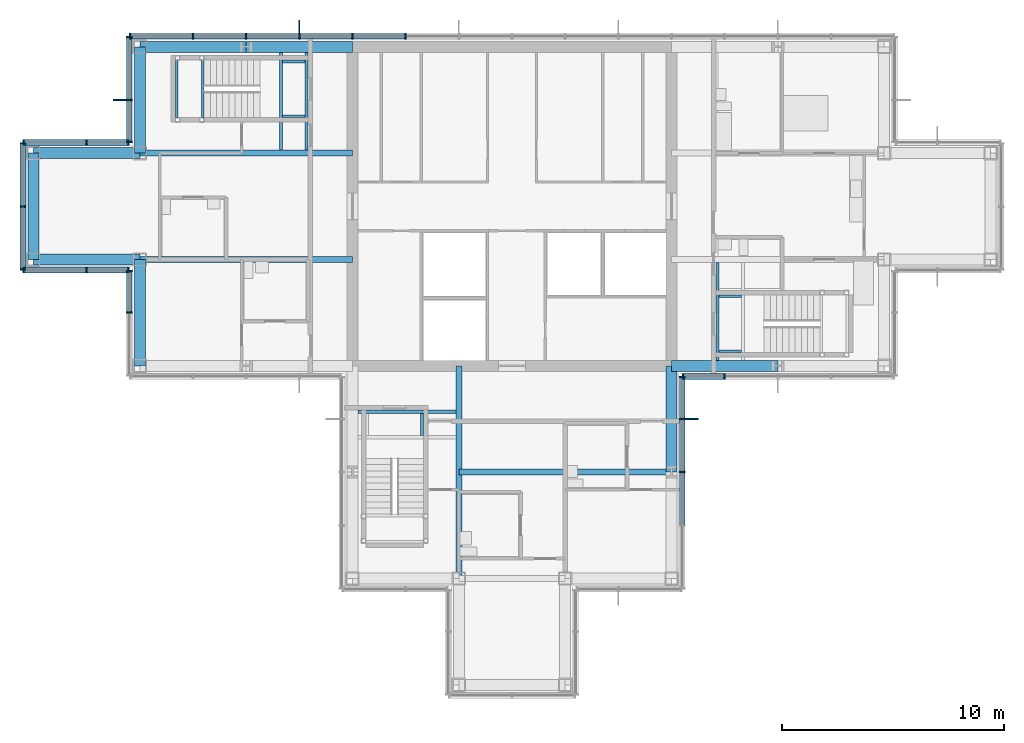
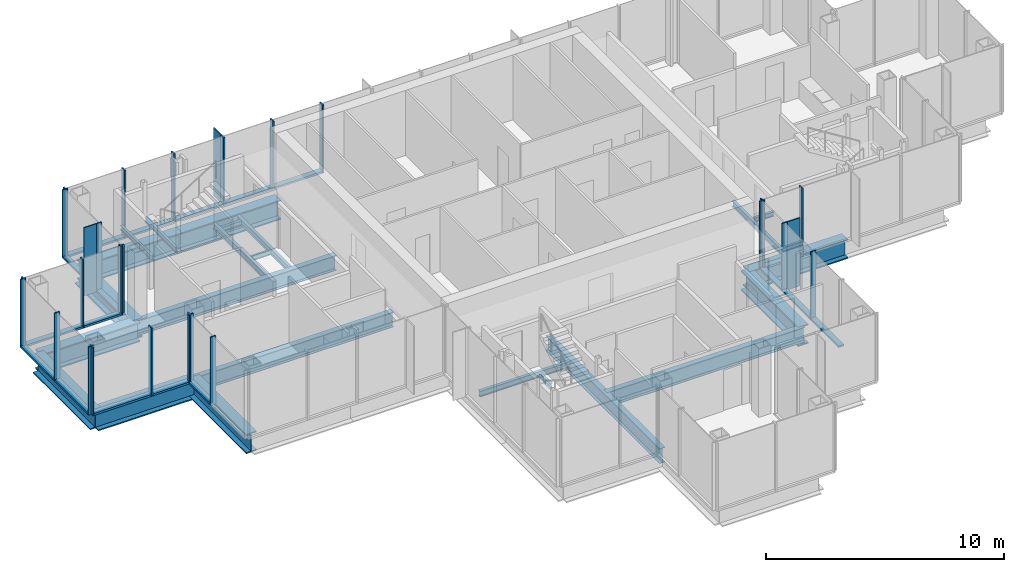
# One storey, part 6 of 15: 46 members, 24 beams, 8 elements without a shape of their own.
"""IFC4 building model written with IfcOpenShell, lengths in metres."""

from ifc_helpers import new_model, si_unit, direction, frame, origin, origin_2d, place, context, subcontext, project, spatial, rectangle, i_section, extrude, material, material_profile, profile_set, type_object, element, aggregate, save


model = new_model("IFC4")

# Units and contexts
model_context = context("Model", 3, precision=1e-05, world=origin(), true_north=direction((0.0, 1.0)))
body_context = subcontext(model_context, "Body", "Model", "MODEL_VIEW")
ifc_project = project(units=[si_unit("LENGTHUNIT", "METRE"), si_unit("AREAUNIT", "SQUARE_METRE"), si_unit("VOLUMEUNIT", "CUBIC_METRE"), si_unit("PLANEANGLEUNIT", "RADIAN"), si_unit("MASSUNIT", "GRAM", prefix="KILO")], contexts=[model_context])

# Site, building, storey
site_placement = place(None, origin())
site = spatial("IfcSite", under=ifc_project, at=site_placement, CompositionType="ELEMENT")
building_placement = place(site_placement, origin())
building = spatial("IfcBuilding", under=site, at=building_placement, Name="Kvirike Care Tower", CompositionType="ELEMENT")
storey_placement = place(building_placement, frame((0.0, 0.0, 233.0)))
storey = spatial("IfcBuildingStorey", under=building, at=storey_placement, Name="L64", CompositionType="ELEMENT", Elevation=233.0)

# Curtain wall, member
ifc_material_1 = material(Name="Anodised aluminium stick system", Category="aluminium")
curtain_wall_type = type_object("IfcCurtainWallType", Name="CW-D STICK CURTAIN WALL", PredefinedType="NOTDEFINED", material=ifc_material_1)
curtain_wall_1_placement = place(storey_placement, origin())
curtain_wall_1 = element("IfcCurtainWall", 1, at=curtain_wall_1_placement, inside=storey, type_object=curtain_wall_type, Name="Curtain wall L64 face 7", PredefinedType="NOTDEFINED")
ifc_material_2 = material(Name="Bronze anodised aluminium fin", Category="aluminium")
ifc_material_profile_1 = material_profile(ifc_material_2, rectangle(XDim=0.050048828125, YDim=0.60009765625, at=origin_2d()), Name="BRONZE FIN 600")
ifc_profile_set_1 = profile_set([ifc_material_profile_1], Name="Bronze anodised aluminium fin")
member_type_1 = type_object("IfcMemberType", Name="BRONZE FIN 600", PredefinedType="USERDEFINED", material=ifc_profile_set_1)
member_1_placement = place(storey_placement, frame((12.0, 44.110107421875, 0.0), z_axis=(0.0, 0.0, 1.0), x_axis=(-1.0, 0.0, 0.0)))
member_1 = element("IfcMember", 2, at=member_1_placement, type_object=member_type_1, Name="Bronze fin L64 face 7.12", ObjectType="FIN", PredefinedType="USERDEFINED", context=body_context, shape_type="SweptSolid", body=[
    extrude(rectangle(XDim=0.050048828125, YDim=0.60009765625, at=origin_2d()), origin(), (0.0, 0.0, 1.0), 3.5),
])

curtain_wall_2_placement = place(storey_placement, origin())
curtain_wall_2 = element("IfcCurtainWall", 3, at=curtain_wall_2_placement, inside=storey, type_object=curtain_wall_type, Name="Curtain wall L64 face 8", PredefinedType="NOTDEFINED")
member_2_placement = place(storey_placement, frame((3.889892578125, 40.800048828125, 0.0), z_axis=(0.0, 0.0, 1.0), x_axis=(0.0, -1.0, 0.0)))
member_2 = element("IfcMember", 4, at=member_2_placement, type_object=member_type_1, Name="Bronze fin L64 face 8.2", ObjectType="FIN", PredefinedType="USERDEFINED", context=body_context, shape_type="SweptSolid", body=[
    extrude(rectangle(XDim=0.050048828125, YDim=0.60009765625, at=origin_2d()), origin(), (0.0, 0.0, 1.0), 3.5),
])

curtain_wall_3_placement = place(storey_placement, origin())
curtain_wall_3 = element("IfcCurtainWall", 5, at=curtain_wall_3_placement, inside=storey, type_object=curtain_wall_type, Name="Curtain wall L64 face 20", PredefinedType="NOTDEFINED")
member_3_placement = place(storey_placement, frame((29.7099609375, 26.39990234375, 0.0), z_axis=(0.0, 0.0, 1.0), x_axis=(0.0, 1.0, 0.0)))
member_3 = element("IfcMember", 6, at=member_3_placement, type_object=member_type_1, Name="Bronze fin L64 face 20.4", ObjectType="FIN", PredefinedType="USERDEFINED", context=body_context, shape_type="SweptSolid", body=[
    extrude(rectangle(XDim=0.050048828125, YDim=0.60009765625, at=origin_2d()), origin(), (0.0, 0.0, 1.0), 3.5),
])

# Curtain wall, members
curtain_wall_4_placement = place(storey_placement, origin())
curtain_wall_4 = element("IfcCurtainWall", 7, at=curtain_wall_4_placement, inside=storey, type_object=curtain_wall_type, Name="Curtain wall L64 face 1", PredefinedType="NOTDEFINED")
ifc_material_3 = material(Name="Bronze anodised aluminium mullion", Category="aluminium")
ifc_material_profile_2 = material_profile(ifc_material_3, rectangle(XDim=0.06494140625, YDim=0.260009765625, at=origin_2d()), Name="CW-D MULLION 65x260")
ifc_profile_set_2 = profile_set([ifc_material_profile_2], Name="Bronze anodised aluminium mullion")
member_type_2 = type_object("IfcMemberType", Name="CW-D MULLION 65x260", PredefinedType="MULLION", material=ifc_profile_set_2)
member_4_placement = place(storey_placement, frame((29.3125, 28.320068359375, 0.0), z_axis=(0.0, 0.0, 1.0), x_axis=(1.0, 0.0, 0.0)))
member_4 = element("IfcMember", 8, at=member_4_placement, type_object=member_type_2, Name="CW-D mullion L64 face 1.1", PredefinedType="MULLION", context=body_context, shape_type="SweptSolid", body=[
    extrude(rectangle(XDim=0.06494140625, YDim=0.260009765625, at=origin_2d()), origin(), (0.0, 0.0, 1.0), 3.5),
])
member_5_placement = place(storey_placement, frame((31.199951171875, 28.320068359375, 0.0), z_axis=(0.0, 0.0, 1.0), x_axis=(1.0, 0.0, 0.0)))
member_5 = element("IfcMember", 9, at=member_5_placement, type_object=member_type_2, Name="CW-D mullion L64 face 1.2", PredefinedType="MULLION", context=body_context, shape_type="SweptSolid", body=[
    extrude(rectangle(XDim=0.06494140625, YDim=0.260009765625, at=origin_2d()), origin(), (0.0, 0.0, 1.0), 3.5),
])

# Member
member_6_placement = place(storey_placement, frame((16.800048828125, 43.679931640625, 0.0), z_axis=(0.0, 0.0, 1.0), x_axis=(-1.0, 0.0, 0.0)))
member_6 = element("IfcMember", 10, at=member_6_placement, type_object=member_type_2, Name="CW-D mullion L64 face 7.10", PredefinedType="MULLION", context=body_context, shape_type="SweptSolid", body=[
    extrude(rectangle(XDim=0.06494140625, YDim=0.260009765625, at=origin_2d()), origin(), (0.0, 0.0, 1.0), 3.5),
])

member_7_placement = place(storey_placement, frame((14.39990234375, 43.679931640625, 0.0), z_axis=(0.0, 0.0, 1.0), x_axis=(-1.0, 0.0, 0.0)))
member_7 = element("IfcMember", 11, at=member_7_placement, type_object=member_type_2, Name="CW-D mullion L64 face 7.11", PredefinedType="MULLION", context=body_context, shape_type="SweptSolid", body=[
    extrude(rectangle(XDim=0.06494140625, YDim=0.260009765625, at=origin_2d()), origin(), (0.0, 0.0, 1.0), 3.5),
])

member_8_placement = place(storey_placement, frame((12.0, 43.679931640625, 0.0), z_axis=(0.0, 0.0, 1.0), x_axis=(-1.0, 0.0, 0.0)))
member_8 = element("IfcMember", 12, at=member_8_placement, type_object=member_type_2, Name="CW-D mullion L64 face 7.12", PredefinedType="MULLION", context=body_context, shape_type="SweptSolid", body=[
    extrude(rectangle(XDim=0.06494140625, YDim=0.260009765625, at=origin_2d()), origin(), (0.0, 0.0, 1.0), 3.5),
])

member_9_placement = place(storey_placement, frame((9.60009765625, 43.679931640625, 0.0), z_axis=(0.0, 0.0, 1.0), x_axis=(-1.0, 0.0, 0.0)))
member_9 = element("IfcMember", 13, at=member_9_placement, type_object=member_type_2, Name="CW-D mullion L64 face 7.13", PredefinedType="MULLION", context=body_context, shape_type="SweptSolid", body=[
    extrude(rectangle(XDim=0.06494140625, YDim=0.260009765625, at=origin_2d()), origin(), (0.0, 0.0, 1.0), 3.5),
])

member_10_placement = place(storey_placement, frame((7.199951171875, 43.679931640625, 0.0), z_axis=(0.0, 0.0, 1.0), x_axis=(-1.0, 0.0, 0.0)))
member_10 = element("IfcMember", 14, at=member_10_placement, type_object=member_type_2, Name="CW-D mullion L64 face 7.14", PredefinedType="MULLION", context=body_context, shape_type="SweptSolid", body=[
    extrude(rectangle(XDim=0.06494140625, YDim=0.260009765625, at=origin_2d()), origin(), (0.0, 0.0, 1.0), 3.5),
])

member_11_placement = place(storey_placement, frame((4.3525390625, 43.679931640625, 0.0), z_axis=(0.0, 0.0, 1.0), x_axis=(-1.0, 0.0, 0.0)))
member_11 = element("IfcMember", 15, at=member_11_placement, type_object=member_type_2, Name="CW-D mullion L64 face 7.15", PredefinedType="MULLION", context=body_context, shape_type="SweptSolid", body=[
    extrude(rectangle(XDim=0.06494140625, YDim=0.260009765625, at=origin_2d()), origin(), (0.0, 0.0, 1.0), 3.5),
])

member_12_placement = place(storey_placement, frame((4.320068359375, 43.6474609375, 0.0), z_axis=(0.0, 0.0, 1.0), x_axis=(0.0, -1.0, 0.0)))
member_12 = element("IfcMember", 16, at=member_12_placement, type_object=member_type_2, Name="CW-D mullion L64 face 8.1", PredefinedType="MULLION", context=body_context, shape_type="SweptSolid", body=[
    extrude(rectangle(XDim=0.06494140625, YDim=0.260009765625, at=origin_2d()), origin(), (0.0, 0.0, 1.0), 3.5),
])

member_13_placement = place(storey_placement, frame((4.320068359375, 40.800048828125, 0.0), z_axis=(0.0, 0.0, 1.0), x_axis=(0.0, -1.0, 0.0)))
member_13 = element("IfcMember", 17, at=member_13_placement, type_object=member_type_2, Name="CW-D mullion L64 face 8.2", PredefinedType="MULLION", context=body_context, shape_type="SweptSolid", body=[
    extrude(rectangle(XDim=0.06494140625, YDim=0.260009765625, at=origin_2d()), origin(), (0.0, 0.0, 1.0), 3.5),
])

member_14_placement = place(storey_placement, frame((4.320068359375, 38.91259765625, 0.0), z_axis=(0.0, 0.0, 1.0), x_axis=(0.0, -1.0, 0.0)))
member_14 = element("IfcMember", 18, at=member_14_placement, type_object=member_type_2, Name="CW-D mullion L64 face 8.3", PredefinedType="MULLION", context=body_context, shape_type="SweptSolid", body=[
    extrude(rectangle(XDim=0.06494140625, YDim=0.260009765625, at=origin_2d()), origin(), (0.0, 0.0, 1.0), 3.5),
])

# Curtain wall, members
curtain_wall_5_placement = place(storey_placement, origin())
curtain_wall_5 = element("IfcCurtainWall", 19, at=curtain_wall_5_placement, inside=storey, type_object=curtain_wall_type, Name="Curtain wall L64 face 9", PredefinedType="NOTDEFINED")
member_15_placement = place(storey_placement, frame((4.28759765625, 38.8798828125, 0.0), z_axis=(0.0, 0.0, 1.0), x_axis=(-1.0, 0.0, 0.0)))
member_15 = element("IfcMember", 20, at=member_15_placement, type_object=member_type_2, Name="CW-D mullion L64 face 9.1", PredefinedType="MULLION", context=body_context, shape_type="SweptSolid", body=[
    extrude(rectangle(XDim=0.06494140625, YDim=0.260009765625, at=origin_2d()), origin(), (0.0, 0.0, 1.0), 3.5),
])
member_16_placement = place(storey_placement, frame((2.39990234375, 38.8798828125, 0.0), z_axis=(0.0, 0.0, 1.0), x_axis=(-1.0, 0.0, 0.0)))
member_16 = element("IfcMember", 21, at=member_16_placement, type_object=member_type_2, Name="CW-D mullion L64 face 9.2", PredefinedType="MULLION", context=body_context, shape_type="SweptSolid", body=[
    extrude(rectangle(XDim=0.06494140625, YDim=0.260009765625, at=origin_2d()), origin(), (0.0, 0.0, 1.0), 3.5),
])
member_17_placement = place(storey_placement, frame((-0.447509765625, 38.8798828125, 0.0), z_axis=(0.0, 0.0, 1.0), x_axis=(-1.0, 0.0, 0.0)))
member_17 = element("IfcMember", 22, at=member_17_placement, type_object=member_type_2, Name="CW-D mullion L64 face 9.3", PredefinedType="MULLION", context=body_context, shape_type="SweptSolid", body=[
    extrude(rectangle(XDim=0.06494140625, YDim=0.260009765625, at=origin_2d()), origin(), (0.0, 0.0, 1.0), 3.5),
])

curtain_wall_6_placement = place(storey_placement, origin())
curtain_wall_6 = element("IfcCurtainWall", 23, at=curtain_wall_6_placement, inside=storey, type_object=curtain_wall_type, Name="Curtain wall L64 face 10", PredefinedType="NOTDEFINED")
member_18_placement = place(storey_placement, frame((-0.47998046875, 38.847412109375, 0.0), z_axis=(0.0, 0.0, 1.0), x_axis=(0.0, -1.0, 0.0)))
member_18 = element("IfcMember", 24, at=member_18_placement, type_object=member_type_2, Name="CW-D mullion L64 face 10.1", PredefinedType="MULLION", context=body_context, shape_type="SweptSolid", body=[
    extrude(rectangle(XDim=0.06494140625, YDim=0.260009765625, at=origin_2d()), origin(), (0.0, 0.0, 1.0), 3.5),
])
member_19_placement = place(storey_placement, frame((-0.47998046875, 36.0, 0.0), z_axis=(0.0, 0.0, 1.0), x_axis=(0.0, -1.0, 0.0)))
member_19 = element("IfcMember", 25, at=member_19_placement, type_object=member_type_2, Name="CW-D mullion L64 face 10.2", PredefinedType="MULLION", context=body_context, shape_type="SweptSolid", body=[
    extrude(rectangle(XDim=0.06494140625, YDim=0.260009765625, at=origin_2d()), origin(), (0.0, 0.0, 1.0), 3.5),
])
member_20_placement = place(storey_placement, frame((-0.47998046875, 33.152587890625, 0.0), z_axis=(0.0, 0.0, 1.0), x_axis=(0.0, -1.0, 0.0)))
member_20 = element("IfcMember", 26, at=member_20_placement, type_object=member_type_2, Name="CW-D mullion L64 face 10.3", PredefinedType="MULLION", context=body_context, shape_type="SweptSolid", body=[
    extrude(rectangle(XDim=0.06494140625, YDim=0.260009765625, at=origin_2d()), origin(), (0.0, 0.0, 1.0), 3.5),
])

curtain_wall_7_placement = place(storey_placement, origin())
curtain_wall_7 = element("IfcCurtainWall", 27, at=curtain_wall_7_placement, inside=storey, type_object=curtain_wall_type, Name="Curtain wall L64 face 11", PredefinedType="NOTDEFINED")
member_21_placement = place(storey_placement, frame((-0.447509765625, 33.1201171875, 0.0), z_axis=(0.0, 0.0, 1.0), x_axis=(1.0, 0.0, 0.0)))
member_21 = element("IfcMember", 28, at=member_21_placement, type_object=member_type_2, Name="CW-D mullion L64 face 11.1", PredefinedType="MULLION", context=body_context, shape_type="SweptSolid", body=[
    extrude(rectangle(XDim=0.06494140625, YDim=0.260009765625, at=origin_2d()), origin(), (0.0, 0.0, 1.0), 3.5),
])
member_22_placement = place(storey_placement, frame((2.39990234375, 33.1201171875, 0.0), z_axis=(0.0, 0.0, 1.0), x_axis=(1.0, 0.0, 0.0)))
member_22 = element("IfcMember", 29, at=member_22_placement, type_object=member_type_2, Name="CW-D mullion L64 face 11.2", PredefinedType="MULLION", context=body_context, shape_type="SweptSolid", body=[
    extrude(rectangle(XDim=0.06494140625, YDim=0.260009765625, at=origin_2d()), origin(), (0.0, 0.0, 1.0), 3.5),
])
member_23_placement = place(storey_placement, frame((4.28759765625, 33.1201171875, 0.0), z_axis=(0.0, 0.0, 1.0), x_axis=(1.0, 0.0, 0.0)))
member_23 = element("IfcMember", 30, at=member_23_placement, type_object=member_type_2, Name="CW-D mullion L64 face 11.3", PredefinedType="MULLION", context=body_context, shape_type="SweptSolid", body=[
    extrude(rectangle(XDim=0.06494140625, YDim=0.260009765625, at=origin_2d()), origin(), (0.0, 0.0, 1.0), 3.5),
])

curtain_wall_8_placement = place(storey_placement, origin())
curtain_wall_8 = element("IfcCurtainWall", 31, at=curtain_wall_8_placement, inside=storey, type_object=curtain_wall_type, Name="Curtain wall L64 face 12", PredefinedType="NOTDEFINED")
member_24_placement = place(storey_placement, frame((4.320068359375, 33.08740234375, 0.0), z_axis=(0.0, 0.0, 1.0), x_axis=(0.0, -1.0, 0.0)))
member_24 = element("IfcMember", 32, at=member_24_placement, type_object=member_type_2, Name="CW-D mullion L64 face 12.1", PredefinedType="MULLION", context=body_context, shape_type="SweptSolid", body=[
    extrude(rectangle(XDim=0.06494140625, YDim=0.260009765625, at=origin_2d()), origin(), (0.0, 0.0, 1.0), 3.5),
])
member_25_placement = place(storey_placement, frame((4.320068359375, 31.199951171875, 0.0), z_axis=(0.0, 0.0, 1.0), x_axis=(0.0, -1.0, 0.0)))
member_25 = element("IfcMember", 33, at=member_25_placement, type_object=member_type_2, Name="CW-D mullion L64 face 12.2", PredefinedType="MULLION", context=body_context, shape_type="SweptSolid", body=[
    extrude(rectangle(XDim=0.06494140625, YDim=0.260009765625, at=origin_2d()), origin(), (0.0, 0.0, 1.0), 3.5),
])

# Member
member_26_placement = place(storey_placement, frame((29.280029296875, 24.0, 0.0), z_axis=(0.0, 0.0, 1.0), x_axis=(0.0, 1.0, 0.0)))
member_26 = element("IfcMember", 34, at=member_26_placement, type_object=member_type_2, Name="CW-D mullion L64 face 20.3", PredefinedType="MULLION", context=body_context, shape_type="SweptSolid", body=[
    extrude(rectangle(XDim=0.06494140625, YDim=0.260009765625, at=origin_2d()), origin(), (0.0, 0.0, 1.0), 3.5),
])

member_27_placement = place(storey_placement, frame((29.280029296875, 26.39990234375, 0.0), z_axis=(0.0, 0.0, 1.0), x_axis=(0.0, 1.0, 0.0)))
member_27 = element("IfcMember", 35, at=member_27_placement, type_object=member_type_2, Name="CW-D mullion L64 face 20.4", PredefinedType="MULLION", context=body_context, shape_type="SweptSolid", body=[
    extrude(rectangle(XDim=0.06494140625, YDim=0.260009765625, at=origin_2d()), origin(), (0.0, 0.0, 1.0), 3.5),
])

member_28_placement = place(storey_placement, frame((29.280029296875, 28.28759765625, 0.0), z_axis=(0.0, 0.0, 1.0), x_axis=(0.0, 1.0, 0.0)))
member_28 = element("IfcMember", 36, at=member_28_placement, type_object=member_type_2, Name="CW-D mullion L64 face 20.5", PredefinedType="MULLION", context=body_context, shape_type="SweptSolid", body=[
    extrude(rectangle(XDim=0.06494140625, YDim=0.260009765625, at=origin_2d()), origin(), (0.0, 0.0, 1.0), 3.5),
])

ifc_material_4 = material(Name="Bronze anodised aluminium transom", Category="aluminium")
ifc_material_profile_3 = material_profile(ifc_material_4, rectangle(XDim=0.260009765625, YDim=0.10009765625, at=origin_2d()), Name="CW-D TRANSOM 260x100")
ifc_profile_set_3 = profile_set([ifc_material_profile_3], Name="Bronze anodised aluminium transom")
member_type_3 = type_object("IfcMemberType", Name="CW-D TRANSOM 260x100", PredefinedType="USERDEFINED", material=ifc_profile_set_3)
member_29_placement = place(storey_placement, frame((29.344970703125, 28.320068359375, 0.050048828125), z_axis=(1.0, 0.0, 0.0), x_axis=(0.0, 1.0, 0.0)))
member_29 = element("IfcMember", 37, at=member_29_placement, type_object=member_type_3, Name="CW-D sill transom L64 face 1.1", ObjectType="TRANSOM", PredefinedType="USERDEFINED", context=body_context, shape_type="SweptSolid", body=[
    extrude(rectangle(XDim=0.260009765625, YDim=0.10009765625, at=origin_2d()), origin(), (0.0, 0.0, 1.0), 1.822509765625),
])

aggregate(curtain_wall_4, [member_4, member_5, member_29])

member_30_placement = place(storey_placement, frame((16.767578125, 43.679931640625, 0.050048828125), z_axis=(-1.0, 0.0, 0.0), x_axis=(0.0, -1.0, 0.0)))
member_30 = element("IfcMember", 38, at=member_30_placement, type_object=member_type_3, Name="CW-D sill transom L64 face 7.10", ObjectType="TRANSOM", PredefinedType="USERDEFINED", context=body_context, shape_type="SweptSolid", body=[
    extrude(rectangle(XDim=0.260009765625, YDim=0.10009765625, at=origin_2d()), origin(), (0.0, 0.0, 1.0), 2.3349609375),
])

member_31_placement = place(storey_placement, frame((14.367431640625, 43.679931640625, 0.050048828125), z_axis=(-1.0, 0.0, 0.0), x_axis=(0.0, -1.0, 0.0)))
member_31 = element("IfcMember", 39, at=member_31_placement, type_object=member_type_3, Name="CW-D sill transom L64 face 7.11", ObjectType="TRANSOM", PredefinedType="USERDEFINED", context=body_context, shape_type="SweptSolid", body=[
    extrude(rectangle(XDim=0.260009765625, YDim=0.10009765625, at=origin_2d()), origin(), (0.0, 0.0, 1.0), 2.3349609375),
])

member_32_placement = place(storey_placement, frame((11.967529296875, 43.679931640625, 0.050048828125), z_axis=(-1.0, 0.0, 0.0), x_axis=(0.0, -1.0, 0.0)))
member_32 = element("IfcMember", 40, at=member_32_placement, type_object=member_type_3, Name="CW-D sill transom L64 face 7.12", ObjectType="TRANSOM", PredefinedType="USERDEFINED", context=body_context, shape_type="SweptSolid", body=[
    extrude(rectangle(XDim=0.260009765625, YDim=0.10009765625, at=origin_2d()), origin(), (0.0, 0.0, 1.0), 2.3349609375),
])

member_33_placement = place(storey_placement, frame((9.5673828125, 43.679931640625, 0.050048828125), z_axis=(-1.0, 0.0, 0.0), x_axis=(0.0, -1.0, 0.0)))
member_33 = element("IfcMember", 41, at=member_33_placement, type_object=member_type_3, Name="CW-D sill transom L64 face 7.13", ObjectType="TRANSOM", PredefinedType="USERDEFINED", context=body_context, shape_type="SweptSolid", body=[
    extrude(rectangle(XDim=0.260009765625, YDim=0.10009765625, at=origin_2d()), origin(), (0.0, 0.0, 1.0), 2.3349609375),
])

member_34_placement = place(storey_placement, frame((7.16748046875, 43.679931640625, 0.050048828125), z_axis=(-1.0, 0.0, 0.0), x_axis=(0.0, -1.0, 0.0)))
member_34 = element("IfcMember", 42, at=member_34_placement, type_object=member_type_3, Name="CW-D sill transom L64 face 7.14", ObjectType="TRANSOM", PredefinedType="USERDEFINED", context=body_context, shape_type="SweptSolid", body=[
    extrude(rectangle(XDim=0.260009765625, YDim=0.10009765625, at=origin_2d()), origin(), (0.0, 0.0, 1.0), 2.782470703125),
])

aggregate(curtain_wall_1, [member_6, member_7, member_8, member_1, member_9, member_10, member_11, member_30, member_31, member_32, member_33, member_34])

member_35_placement = place(storey_placement, frame((4.320068359375, 43.614990234375, 0.050048828125), z_axis=(0.0, -1.0, 0.0), x_axis=(1.0, 0.0, 0.0)))
member_35 = element("IfcMember", 43, at=member_35_placement, type_object=member_type_3, Name="CW-D sill transom L64 face 8.1", ObjectType="TRANSOM", PredefinedType="USERDEFINED", context=body_context, shape_type="SweptSolid", body=[
    extrude(rectangle(XDim=0.260009765625, YDim=0.10009765625, at=origin_2d()), origin(), (0.0, 0.0, 1.0), 2.782470703125),
])

member_36_placement = place(storey_placement, frame((4.320068359375, 40.767578125, 0.050048828125), z_axis=(0.0, -1.0, 0.0), x_axis=(1.0, 0.0, 0.0)))
member_36 = element("IfcMember", 44, at=member_36_placement, type_object=member_type_3, Name="CW-D sill transom L64 face 8.2", ObjectType="TRANSOM", PredefinedType="USERDEFINED", context=body_context, shape_type="SweptSolid", body=[
    extrude(rectangle(XDim=0.260009765625, YDim=0.10009765625, at=origin_2d()), origin(), (0.0, 0.0, 1.0), 1.822509765625),
])

aggregate(curtain_wall_2, [member_12, member_13, member_2, member_14, member_35, member_36])

member_37_placement = place(storey_placement, frame((4.2548828125, 38.8798828125, 0.050048828125), z_axis=(-1.0, 0.0, 0.0), x_axis=(0.0, -1.0, 0.0)))
member_37 = element("IfcMember", 45, at=member_37_placement, type_object=member_type_3, Name="CW-D sill transom L64 face 9.1", ObjectType="TRANSOM", PredefinedType="USERDEFINED", context=body_context, shape_type="SweptSolid", body=[
    extrude(rectangle(XDim=0.260009765625, YDim=0.10009765625, at=origin_2d()), origin(), (0.0, 0.0, 1.0), 1.822265625),
])

member_38_placement = place(storey_placement, frame((2.367431640625, 38.8798828125, 0.050048828125), z_axis=(-1.0, 0.0, 0.0), x_axis=(0.0, -1.0, 0.0)))
member_38 = element("IfcMember", 46, at=member_38_placement, type_object=member_type_3, Name="CW-D sill transom L64 face 9.2", ObjectType="TRANSOM", PredefinedType="USERDEFINED", context=body_context, shape_type="SweptSolid", body=[
    extrude(rectangle(XDim=0.260009765625, YDim=0.10009765625, at=origin_2d()), origin(), (0.0, 0.0, 1.0), 2.782470703125),
])

aggregate(curtain_wall_5, [member_15, member_16, member_17, member_37, member_38])

member_39_placement = place(storey_placement, frame((-0.47998046875, 38.81494140625, 0.050048828125), z_axis=(0.0, -1.0, 0.0), x_axis=(1.0, 0.0, 0.0)))
member_39 = element("IfcMember", 47, at=member_39_placement, type_object=member_type_3, Name="CW-D sill transom L64 face 10.1", ObjectType="TRANSOM", PredefinedType="USERDEFINED", context=body_context, shape_type="SweptSolid", body=[
    extrude(rectangle(XDim=0.260009765625, YDim=0.10009765625, at=origin_2d()), origin(), (0.0, 0.0, 1.0), 2.782470703125),
])

member_40_placement = place(storey_placement, frame((-0.47998046875, 35.967529296875, 0.050048828125), z_axis=(0.0, -1.0, 0.0), x_axis=(1.0, 0.0, 0.0)))
member_40 = element("IfcMember", 48, at=member_40_placement, type_object=member_type_3, Name="CW-D sill transom L64 face 10.2", ObjectType="TRANSOM", PredefinedType="USERDEFINED", context=body_context, shape_type="SweptSolid", body=[
    extrude(rectangle(XDim=0.260009765625, YDim=0.10009765625, at=origin_2d()), origin(), (0.0, 0.0, 1.0), 2.782470703125),
])

aggregate(curtain_wall_6, [member_18, member_19, member_20, member_39, member_40])

member_41_placement = place(storey_placement, frame((-0.4150390625, 33.1201171875, 0.050048828125), z_axis=(1.0, 0.0, 0.0), x_axis=(0.0, 1.0, 0.0)))
member_41 = element("IfcMember", 49, at=member_41_placement, type_object=member_type_3, Name="CW-D sill transom L64 face 11.1", ObjectType="TRANSOM", PredefinedType="USERDEFINED", context=body_context, shape_type="SweptSolid", body=[
    extrude(rectangle(XDim=0.260009765625, YDim=0.10009765625, at=origin_2d()), origin(), (0.0, 0.0, 1.0), 2.782470703125),
])

member_42_placement = place(storey_placement, frame((2.4326171875, 33.1201171875, 0.050048828125), z_axis=(1.0, 0.0, 0.0), x_axis=(0.0, 1.0, 0.0)))
member_42 = element("IfcMember", 50, at=member_42_placement, type_object=member_type_3, Name="CW-D sill transom L64 face 11.2", ObjectType="TRANSOM", PredefinedType="USERDEFINED", context=body_context, shape_type="SweptSolid", body=[
    extrude(rectangle(XDim=0.260009765625, YDim=0.10009765625, at=origin_2d()), origin(), (0.0, 0.0, 1.0), 1.822265625),
])

aggregate(curtain_wall_7, [member_21, member_22, member_23, member_41, member_42])

member_43_placement = place(storey_placement, frame((4.320068359375, 33.054931640625, 0.050048828125), z_axis=(0.0, -1.0, 0.0), x_axis=(1.0, 0.0, 0.0)))
member_43 = element("IfcMember", 51, at=member_43_placement, type_object=member_type_3, Name="CW-D sill transom L64 face 12.1", ObjectType="TRANSOM", PredefinedType="USERDEFINED", context=body_context, shape_type="SweptSolid", body=[
    extrude(rectangle(XDim=0.260009765625, YDim=0.10009765625, at=origin_2d()), origin(), (0.0, 0.0, 1.0), 1.822509765625),
])

aggregate(curtain_wall_8, [member_24, member_25, member_43])

member_44_placement = place(storey_placement, frame((29.280029296875, 21.632568359375, 0.050048828125), z_axis=(0.0, 1.0, 0.0), x_axis=(-1.0, 0.0, 0.0)))
member_44 = element("IfcMember", 52, at=member_44_placement, type_object=member_type_3, Name="CW-D sill transom L64 face 20.2", ObjectType="TRANSOM", PredefinedType="USERDEFINED", context=body_context, shape_type="SweptSolid", body=[
    extrude(rectangle(XDim=0.260009765625, YDim=0.10009765625, at=origin_2d()), origin(), (0.0, 0.0, 1.0), 2.3349609375),
])

member_45_placement = place(storey_placement, frame((29.280029296875, 24.032470703125, 0.050048828125), z_axis=(0.0, 1.0, 0.0), x_axis=(-1.0, 0.0, 0.0)))
member_45 = element("IfcMember", 53, at=member_45_placement, type_object=member_type_3, Name="CW-D sill transom L64 face 20.3", ObjectType="TRANSOM", PredefinedType="USERDEFINED", context=body_context, shape_type="SweptSolid", body=[
    extrude(rectangle(XDim=0.260009765625, YDim=0.10009765625, at=origin_2d()), origin(), (0.0, 0.0, 1.0), 2.3349609375),
])

member_46_placement = place(storey_placement, frame((29.280029296875, 26.4326171875, 0.050048828125), z_axis=(0.0, 1.0, 0.0), x_axis=(-1.0, 0.0, 0.0)))
member_46 = element("IfcMember", 54, at=member_46_placement, type_object=member_type_3, Name="CW-D sill transom L64 face 20.4", ObjectType="TRANSOM", PredefinedType="USERDEFINED", context=body_context, shape_type="SweptSolid", body=[
    extrude(rectangle(XDim=0.260009765625, YDim=0.10009765625, at=origin_2d()), origin(), (0.0, 0.0, 1.0), 1.822265625),
])

aggregate(curtain_wall_3, [member_26, member_27, member_3, member_28, member_44, member_45, member_46])

# Beams
ifc_material_5 = material(Name="Steel S355", Category="steel")
ifc_material_profile_4 = material_profile(ifc_material_5, i_section(OverallWidth=0.26806640625, OverallDepth=0.77001953125, WebThickness=0.015625, FlangeThickness=0.025390625, FilletRadius=0.01708984375, at=origin_2d()), Name="IPE 750x196")
ifc_profile_set_4 = profile_set([ifc_material_profile_4], Name="Steel S355")
beam_type_1 = type_object("IfcBeamType", Name="FLOOR BEAM IPE 750x196", PredefinedType="BEAM", material=ifc_profile_set_4)
beam_1_placement = place(storey_placement, frame((19.199951171875, 24.0, -0.554931640625), z_axis=(1.0, 0.0, 0.0), x_axis=(0.0, 1.0, 0.0)))
element("IfcBeam", 55, at=beam_1_placement, inside=storey, type_object=beam_type_1, Name="Floor Beam F7-F9 L64", PredefinedType="BEAM", context=body_context, shape_type="SweptSolid", body=[
    extrude(i_section(OverallWidth=0.26806640625, OverallDepth=0.77001953125, WebThickness=0.015625, FlangeThickness=0.025390625, FilletRadius=0.01708984375, at=origin_2d()), origin(), (0.0, 0.0, 1.0), 9.60009765625),
])
for number, where, z_axis, x_axis, name in (
    (56, (4.800048828125, 33.60009765625, -0.554931640625), (1.0, 0.0, 0.0), (0.0, 1.0, 0.0), "Floor Beam H4-H6 L64"),
    (57, (4.800048828125, 38.39990234375, -0.554931640625), (1.0, 0.0, 0.0), (0.0, 1.0, 0.0), "Floor Beam J4-J6 L64"),
):
    element("IfcBeam", number, at=place(storey_placement, frame(where, z_axis=z_axis, x_axis=x_axis)), inside=storey, type_object=beam_type_1, Name=name, PredefinedType="BEAM", context=body_context, shape_type="SweptSolid", body=[
        extrude(i_section(OverallWidth=0.26806640625, OverallDepth=0.77001953125, WebThickness=0.015625, FlangeThickness=0.025390625, FilletRadius=0.01708984375, at=origin_2d()), origin(), (0.0, 0.0, 1.0), 9.599853515625),
    ])
beam_2_placement = place(storey_placement, frame((19.199951171875, 19.199951171875, -0.554931640625), z_axis=(0.0, 1.0, 0.0), x_axis=(-1.0, 0.0, 0.0)))
element("IfcBeam", 58, at=beam_2_placement, inside=storey, type_object=beam_type_1, Name="Floor Beam E7-G7 L64", PredefinedType="BEAM", context=body_context, shape_type="SweptSolid", body=[
    extrude(i_section(OverallWidth=0.26806640625, OverallDepth=0.77001953125, WebThickness=0.015625, FlangeThickness=0.025390625, FilletRadius=0.01708984375, at=origin_2d()), origin(), (0.0, 0.0, 1.0), 9.60009765625),
])
ifc_material_6 = material(Name="Steel S355", Category="steel")
ifc_material_profile_5 = material_profile(ifc_material_6, i_section(OverallWidth=0.5, OverallDepth=1.0, WebThickness=0.030029296875, FlangeThickness=0.06005859375, at=origin_2d()), Name="PG 1000x500x30x60")
ifc_profile_set_5 = profile_set([ifc_material_profile_5], Name="Steel S355")
beam_type_2 = type_object("IfcBeamType", Name="SPANDREL PG 1000x500x30x60", PredefinedType="SPANDREL", material=ifc_profile_set_5)
for number, where, z_axis, x_axis, name in (
    (59, (28.800048828125, 28.800048828125, -0.669921875), (1.0, 0.0, 0.0), (0.0, 1.0, 0.0), "Spandrel G9-G10 L64"),
    (60, (0.0, 33.60009765625, -0.669921875), (1.0, 0.0, 0.0), (0.0, 1.0, 0.0), "Spandrel H3-H4 L64"),
    (61, (0.0, 38.39990234375, -0.669921875), (1.0, 0.0, 0.0), (0.0, 1.0, 0.0), "Spandrel J3-J4 L64"),
    (62, (4.800048828125, 43.199951171875, -0.669921875), (1.0, 0.0, 0.0), (0.0, 1.0, 0.0), "Spandrel K4-K5 L64"),
):
    element("IfcBeam", number, at=place(storey_placement, frame(where, z_axis=z_axis, x_axis=x_axis)), inside=storey, type_object=beam_type_2, Name=name, PredefinedType="SPANDREL", context=body_context, shape_type="SweptSolid", body=[
        extrude(i_section(OverallWidth=0.5, OverallDepth=1.0, WebThickness=0.030029296875, FlangeThickness=0.06005859375, at=origin_2d()), origin(), (0.0, 0.0, 1.0), 4.800048828125),
    ])
for number, where, z_axis, x_axis, name in (
    (63, (9.60009765625, 43.199951171875, -0.669921875), (1.0, 0.0, 0.0), (0.0, 1.0, 0.0), "Spandrel K5-K6 L64"),
    (64, (0.0, 33.60009765625, -0.669921875), (0.0, 1.0, 0.0), (-1.0, 0.0, 0.0), "Spandrel H3-J3 L64"),
):
    element("IfcBeam", number, at=place(storey_placement, frame(where, z_axis=z_axis, x_axis=x_axis)), inside=storey, type_object=beam_type_2, Name=name, PredefinedType="SPANDREL", context=body_context, shape_type="SweptSolid", body=[
        extrude(i_section(OverallWidth=0.5, OverallDepth=1.0, WebThickness=0.030029296875, FlangeThickness=0.06005859375, at=origin_2d()), origin(), (0.0, 0.0, 1.0), 4.7998046875),
    ])
for number, where, z_axis, x_axis, name in (
    (65, (4.800048828125, 28.800048828125, -0.669921875), (0.0, 1.0, 0.0), (-1.0, 0.0, 0.0), "Spandrel G4-H4 L64"),
    (66, (4.800048828125, 38.39990234375, -0.669921875), (0.0, 1.0, 0.0), (-1.0, 0.0, 0.0), "Spandrel J4-K4 L64"),
    (67, (28.800048828125, 24.0, -0.669921875), (0.0, 1.0, 0.0), (-1.0, 0.0, 0.0), "Spandrel F9-G9 L64"),
):
    element("IfcBeam", number, at=place(storey_placement, frame(where, z_axis=z_axis, x_axis=x_axis)), inside=storey, type_object=beam_type_2, Name=name, PredefinedType="SPANDREL", context=body_context, shape_type="SweptSolid", body=[
        extrude(i_section(OverallWidth=0.5, OverallDepth=1.0, WebThickness=0.030029296875, FlangeThickness=0.06005859375, at=origin_2d()), origin(), (0.0, 0.0, 1.0), 4.800048828125),
    ])
ifc_material_7 = material(Name="Steel S355", Category="steel")
ifc_material_profile_6 = material_profile(ifc_material_7, i_section(OverallWidth=0.1201171875, OverallDepth=0.239990234375, WebThickness=0.006103515625, FlangeThickness=0.009765625, FilletRadius=0.014892578125, at=origin_2d()), Name="IPE 240")
ifc_profile_set_6 = profile_set([ifc_material_profile_6], Name="Steel S355")
beam_type_3 = type_object("IfcBeamType", Name="STAIR LANDING BEAM IPE 240", PredefinedType="BEAM", material=ifc_profile_set_6)
for number, where, z_axis, x_axis, name in (
    (68, (6.4599609375, 42.60009765625, 1.429931640625), (0.0, -1.0, 0.0), (1.0, 0.0, 0.0), "Stair 1 landing beam back L64"),
    (69, (7.639892578125, 42.60009765625, 1.429931640625), (0.0, -1.0, 0.0), (1.0, 0.0, 0.0), "Stair 1 landing beam front L64"),
):
    element("IfcBeam", number, at=place(storey_placement, frame(where, z_axis=z_axis, x_axis=x_axis)), inside=storey, type_object=beam_type_3, Name=name, PredefinedType="BEAM", context=body_context, shape_type="SweptSolid", body=[
        extrude(i_section(OverallWidth=0.1201171875, OverallDepth=0.239990234375, WebThickness=0.006103515625, FlangeThickness=0.009765625, FilletRadius=0.014892578125, at=origin_2d()), origin(), (0.0, 0.0, 1.0), 2.60009765625),
    ])
for number, where, z_axis, x_axis, name in (
    (70, (11.25, 42.5400390625, -0.320068359375), (1.0, 0.0, 0.0), (0.0, 1.0, 0.0), "Stair 1 landing edge beam 1 L64"),
    (71, (11.25, 40.06005859375, -0.320068359375), (1.0, 0.0, 0.0), (0.0, 1.0, 0.0), "Stair 1 landing edge beam 2 L64"),
    (72, (31.949951171875, 29.4599609375, -0.320068359375), (-1.0, 0.0, 0.0), (0.0, -1.0, 0.0), "Stair 2 landing edge beam 1 L64"),
    (73, (31.949951171875, 31.93994140625, -0.320068359375), (-1.0, 0.0, 0.0), (0.0, -1.0, 0.0), "Stair 2 landing edge beam 2 L64"),
    (74, (17.5400390625, 25.64990234375, -0.320068359375), (0.0, 1.0, 0.0), (-1.0, 0.0, 0.0), "Stair 5 landing edge beam 2 L64"),
):
    element("IfcBeam", number, at=place(storey_placement, frame(where, z_axis=z_axis, x_axis=x_axis)), inside=storey, type_object=beam_type_3, Name=name, PredefinedType="BEAM", context=body_context, shape_type="SweptSolid", body=[
        extrude(i_section(OverallWidth=0.1201171875, OverallDepth=0.239990234375, WebThickness=0.006103515625, FlangeThickness=0.009765625, FilletRadius=0.014892578125, at=origin_2d()), origin(), (0.0, 0.0, 1.0), 1.0),
    ])
ifc_material_8 = material(Name="Steel S355", Category="steel")
ifc_material_profile_7 = material_profile(ifc_material_8, i_section(OverallWidth=0.14990234375, OverallDepth=0.300048828125, WebThickness=0.007080078125, FlangeThickness=0.0107421875, FilletRadius=0.014892578125, at=origin_2d()), Name="IPE 300")
ifc_profile_set_7 = profile_set([ifc_material_profile_7], Name="Steel S355")
beam_type_4 = type_object("IfcBeamType", Name="STAIR TRIMMER IPE 300", PredefinedType="BEAM", material=ifc_profile_set_7)
for number, where, z_axis, x_axis, name in (
    (75, (11.175048828125, 42.949951171875, -0.35009765625), (0.0, -1.0, 0.0), (1.0, 0.0, 0.0), "Stair 1 trimmer 1 L64"),
    (76, (12.324951171875, 42.949951171875, -0.35009765625), (0.0, -1.0, 0.0), (1.0, 0.0, 0.0), "Stair 1 trimmer 2 L64"),
    (77, (30.875, 29.050048828125, -0.35009765625), (0.0, 1.0, 0.0), (-1.0, 0.0, 0.0), "Stair 2 trimmer 2 L64"),
    (78, (14.64990234375, 26.72509765625, -0.35009765625), (1.0, 0.0, 0.0), (0.0, 1.0, 0.0), "Stair 5 trimmer 2 L64"),
):
    element("IfcBeam", number, at=place(storey_placement, frame(where, z_axis=z_axis, x_axis=x_axis)), inside=storey, type_object=beam_type_4, Name=name, PredefinedType="BEAM", context=body_context, shape_type="SweptSolid", body=[
        extrude(i_section(OverallWidth=0.14990234375, OverallDepth=0.300048828125, WebThickness=0.007080078125, FlangeThickness=0.0107421875, FilletRadius=0.014892578125, at=origin_2d()), origin(), (0.0, 0.0, 1.0), 4.416015625),
    ])

save(model, "model.ifc")
